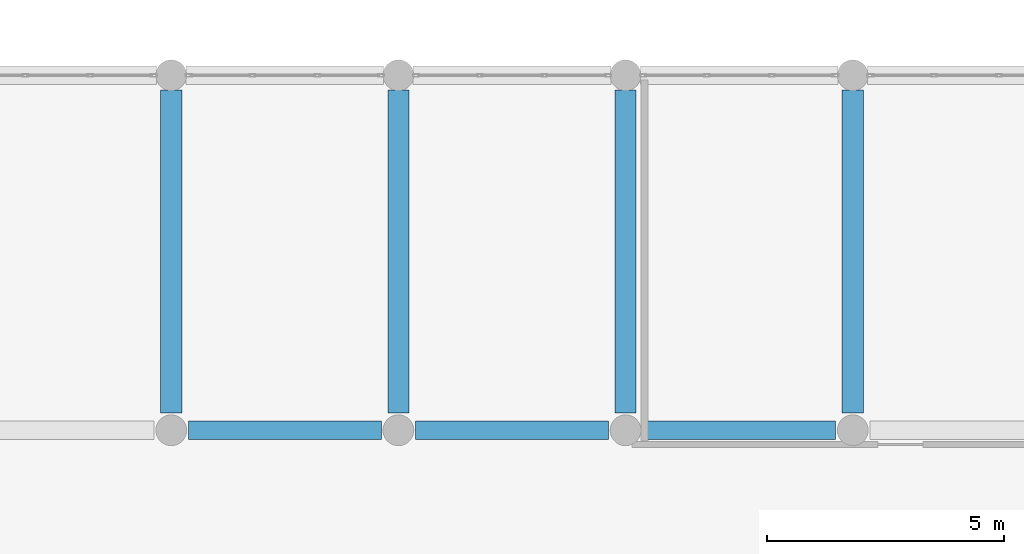
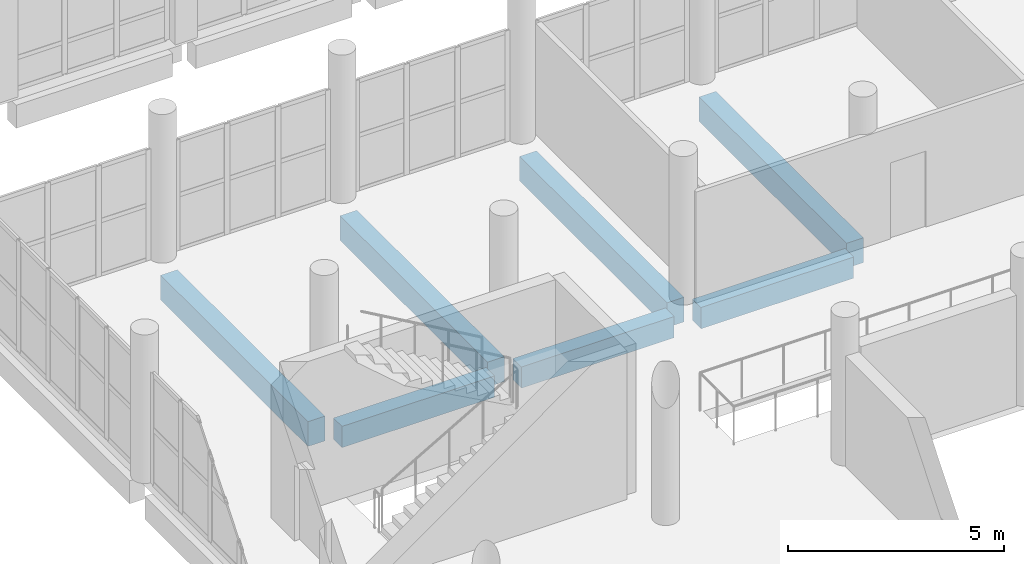
# One storey, part 81 of 164: 7 beams.
"""IFC4 building model written with IfcOpenShell, lengths in metres."""

from ifc_helpers import new_model, si_unit, direction, frame, origin, origin_2d, place, context, subcontext, project, spatial, rectangle, extrude, material, material_profile, profile_set, type_object, element, save


model = new_model("IFC4")

# Units and contexts
model_context = context("Model", 3, precision=1e-05, world=origin(), true_north=direction((0.0, 1.0)))
body_context = subcontext(model_context, "Body", "Model", "MODEL_VIEW")
ifc_project = project(units=[si_unit("LENGTHUNIT", "METRE"), si_unit("AREAUNIT", "SQUARE_METRE"), si_unit("VOLUMEUNIT", "CUBIC_METRE"), si_unit("PLANEANGLEUNIT", "RADIAN"), si_unit("MASSUNIT", "GRAM", prefix="KILO")], contexts=[model_context])

# Site, building, storey
site_placement = place(None, origin())
site = spatial("IfcSite", under=ifc_project, at=site_placement, CompositionType="ELEMENT")
building_placement = place(site_placement, origin())
building = spatial("IfcBuilding", under=site, at=building_placement, Name="Mawjan Specialist Oncology Clinic", CompositionType="ELEMENT")
storey_placement = place(building_placement, frame((0.0, 0.0, 5.0)))
storey = spatial("IfcBuildingStorey", under=building, at=storey_placement, Name="L01", CompositionType="ELEMENT", Elevation=5.0)

# Beams
ifc_material_1 = material(Name="Concrete C40/50", Category="concrete")
ifc_material_profile_1 = material_profile(ifc_material_1, rectangle(XDim=0.39990234375, YDim=0.60009765625, at=origin_2d()), Name="RC BM 400x600", Category="concrete")
ifc_profile_set_1 = profile_set([ifc_material_profile_1], Name="Concrete C40/50")
beam_type_1 = type_object("IfcBeamType", Name="BM-400x600", PredefinedType="BEAM", material=ifc_profile_set_1)
for number, where, z_axis, x_axis, name in (
    (1, (65.159912109375, 68.300048828125, -0.60009765625), (1.0, 0.0, 0.0), (0.0, 1.0, 0.0), "L01 Collector Beam BM-L01-0310"),
    (2, (69.9599609375, 68.300048828125, -0.60009765625), (1.0, 0.0, 0.0), (0.0, 1.0, 0.0), "L01 Collector Beam BM-L01-0311"),
    (3, (74.760009765625, 68.300048828125, -0.60009765625), (1.0, 0.0, 0.0), (0.0, 1.0, 0.0), "L01 Collector Beam BM-L01-0312"),
):
    element("IfcBeam", number, at=place(storey_placement, frame(where, z_axis=z_axis, x_axis=x_axis)), inside=storey, type_object=beam_type_1, Name=name, PredefinedType="BEAM", context=body_context, shape_type="SweptSolid", body=[
        extrude(rectangle(XDim=0.39990234375, YDim=0.60009765625, at=origin_2d()), origin(), (0.0, 0.0, 1.0), 4.080078125),
    ])
ifc_material_2 = material(Name="Concrete C40/50", Category="concrete")
ifc_material_profile_2 = material_profile(ifc_material_2, rectangle(XDim=0.449951171875, YDim=0.699951171875, at=origin_2d()), Name="RC BM 450x700", Category="concrete")
ifc_profile_set_2 = profile_set([ifc_material_profile_2], Name="Concrete C40/50")
beam_type_2 = type_object("IfcBeamType", Name="BM-450x700", PredefinedType="BEAM", material=ifc_profile_set_2)
for number, where, z_axis, x_axis, name in (
    (4, (64.800048828125, 68.659912109375, -0.64990234375), (0.0, 1.0, 0.0), (-1.0, 0.0, 0.0), "L01 Collector Beam BM-L01-0497"),
    (5, (69.60009765625, 68.659912109375, -0.64990234375), (0.0, 1.0, 0.0), (-1.0, 0.0, 0.0), "L01 Collector Beam BM-L01-0503"),
    (6, (74.39990234375, 68.659912109375, -0.64990234375), (0.0, 1.0, 0.0), (-1.0, 0.0, 0.0), "L01 Collector Beam BM-L01-0509"),
    (7, (79.199951171875, 68.659912109375, -0.64990234375), (0.0, 1.0, 0.0), (-1.0, 0.0, 0.0), "L01 Collector Beam BM-L01-0515"),
):
    element("IfcBeam", number, at=place(storey_placement, frame(where, z_axis=z_axis, x_axis=x_axis)), inside=storey, type_object=beam_type_2, Name=name, PredefinedType="BEAM", context=body_context, shape_type="SweptSolid", body=[
        extrude(rectangle(XDim=0.449951171875, YDim=0.699951171875, at=origin_2d()), origin(), (0.0, 0.0, 1.0), 6.830078125),
    ])

save(model, "model.ifc")
